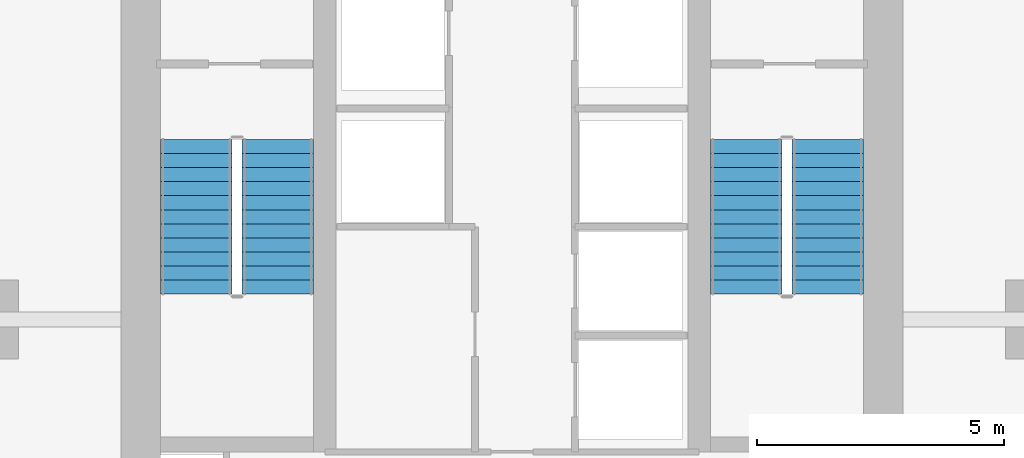
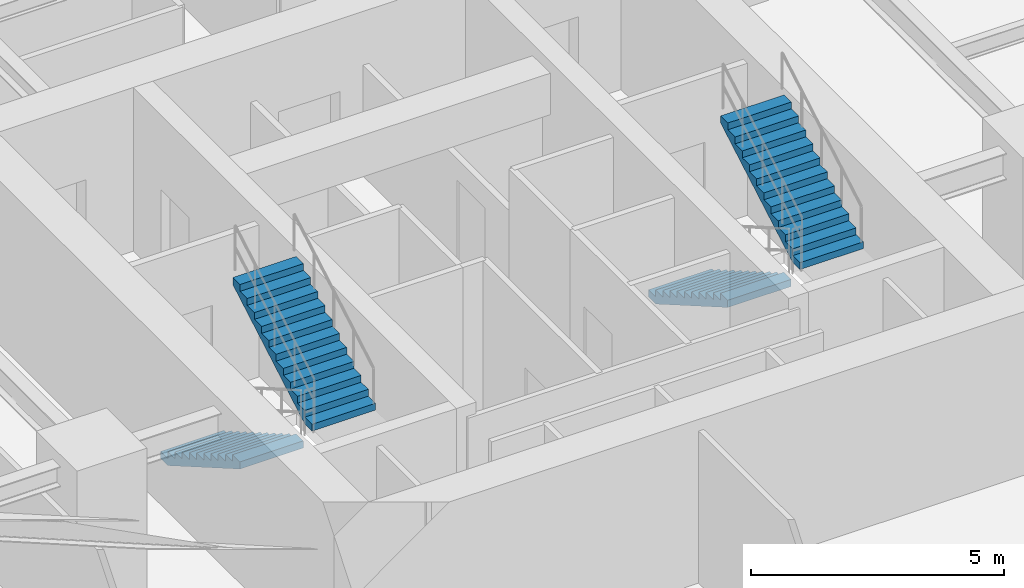
# One storey, part 24 of 26: 4 stair flights, 2 elements without a shape of their own.
"""IFC4 building model written with IfcOpenShell, lengths in metres."""

from ifc_helpers import new_model, si_unit, direction, frame, origin, place, context, subcontext, project, spatial, polyline, outline, extrude, material, type_object, element, aggregate, save


model = new_model("IFC4")

# Units and contexts
model_context = context("Model", 3, precision=1e-05, world=origin(), true_north=direction((0.0, 1.0)))
body_context = subcontext(model_context, "Body", "Model", "MODEL_VIEW")
ifc_project = project(units=[si_unit("LENGTHUNIT", "METRE"), si_unit("AREAUNIT", "SQUARE_METRE"), si_unit("VOLUMEUNIT", "CUBIC_METRE"), si_unit("PLANEANGLEUNIT", "RADIAN"), si_unit("MASSUNIT", "GRAM", prefix="KILO")], contexts=[model_context])

# Site, building, storey
site_placement = place(None, origin())
site = spatial("IfcSite", under=ifc_project, at=site_placement, CompositionType="ELEMENT")
building_placement = place(site_placement, origin())
building = spatial("IfcBuilding", under=site, at=building_placement, Name="Krantzveldt Concourse Tower", CompositionType="ELEMENT")
storey_placement = place(building_placement, frame((0.0, 0.0, 223.10009765625)))
storey = spatial("IfcBuildingStorey", under=building, at=storey_placement, Name="L54", CompositionType="ELEMENT", Elevation=223.10009765625)

# Stair, stair flights
ifc_material = material(Name="Precast concrete C40/50", Category="concrete")
stair_type = type_object("IfcStairType", Name="STR-CORE-DOGLEG", PredefinedType="HALF_TURN_STAIR", material=ifc_material)
stair_1_placement = place(storey_placement, origin())
stair_1 = element("IfcStair", 1, at=stair_1_placement, inside=storey, type_object=stair_type, Name="L54 Protected Escape Stair ST-1", PredefinedType="HALF_TURN_STAIR")
stair_flight_type = type_object("IfcStairFlightType", Name="STF-CORE-1450", PredefinedType="STRAIGHT", material=ifc_material)
stair_flight_1_placement = place(storey_placement, frame((29.60498046875, 19.550048828125, 0.0), z_axis=(0.0, 0.0, 1.0), x_axis=(0.0, -1.0, 0.0)))
stair_flight_1 = element("IfcStairFlight", 2, at=stair_flight_1_placement, type_object=stair_flight_type, Name="ST-1 flight 1", NumberOfRisers=12, NumberOfTreads=11, PredefinedType="STRAIGHT", RiserHeight=0.164583333, TreadLength=0.285, context=body_context, shape_type="SweptSolid", body=[
    extrude(outline(polyline([(0.0, 0.0), (0.0, 0.16455078125), (0.284912109375, 0.16455078125), (0.284912109375, 0.3291015625), (0.570068359375, 0.3291015625), (0.570068359375, 0.49365234375), (0.85498046875, 0.49365234375), (0.85498046875, 0.658447265625), (1.139892578125, 0.658447265625), (1.139892578125, 0.822998046875), (1.425048828125, 0.822998046875), (1.425048828125, 0.987548828125), (1.7099609375, 0.987548828125), (1.7099609375, 1.152099609375), (1.9951171875, 1.152099609375), (1.9951171875, 1.316650390625), (2.280029296875, 1.316650390625), (2.280029296875, 1.481201171875), (2.56494140625, 1.481201171875), (2.56494140625, 1.645751953125), (2.85009765625, 1.645751953125), (2.85009765625, 1.810302734375), (3.135009765625, 1.810302734375), (3.135009765625, 1.97509765625), (3.135009765625, 1.63720703125), (0.2998046875, 0.0), (0.0, 0.0)])), frame((0.0, 0.72509765625, 0.0), z_axis=(0.0, -1.0, 0.0), x_axis=(1.0, 0.0, 0.0)), (0.0, 0.0, 1.0), 1.449951171875),
])
stair_flight_2_placement = place(storey_placement, frame((31.2548828125, 16.4150390625, 1.974853515625), z_axis=(0.0, 0.0, 1.0), x_axis=(0.0, 1.0, 0.0)))
stair_flight_2 = element("IfcStairFlight", 3, at=stair_flight_2_placement, type_object=stair_flight_type, Name="ST-1 flight 2", NumberOfRisers=12, NumberOfTreads=11, PredefinedType="STRAIGHT", RiserHeight=0.164583333, TreadLength=0.285, context=body_context, shape_type="SweptSolid", body=[
    extrude(outline(polyline([(0.0, 0.0), (0.0, 0.16455078125), (0.284912109375, 0.16455078125), (0.284912109375, 0.3291015625), (0.570068359375, 0.3291015625), (0.570068359375, 0.49365234375), (0.85498046875, 0.49365234375), (0.85498046875, 0.658447265625), (1.139892578125, 0.658447265625), (1.139892578125, 0.822998046875), (1.425048828125, 0.822998046875), (1.425048828125, 0.987548828125), (1.7099609375, 0.987548828125), (1.7099609375, 1.152099609375), (1.9951171875, 1.152099609375), (1.9951171875, 1.316650390625), (2.280029296875, 1.316650390625), (2.280029296875, 1.481201171875), (2.56494140625, 1.481201171875), (2.56494140625, 1.645751953125), (2.85009765625, 1.645751953125), (2.85009765625, 1.810302734375), (3.135009765625, 1.810302734375), (3.135009765625, 1.97509765625), (3.135009765625, 1.63720703125), (0.2998046875, 0.0), (0.0, 0.0)])), frame((0.0, 0.72509765625, 0.0), z_axis=(0.0, -1.0, 0.0), x_axis=(1.0, 0.0, 0.0)), (0.0, 0.0, 1.0), 1.449951171875),
])
aggregate(stair_1, [stair_flight_1, stair_flight_2])

stair_2_placement = place(storey_placement, origin())
stair_2 = element("IfcStair", 4, at=stair_2_placement, inside=storey, type_object=stair_type, Name="L54 Protected Escape Stair ST-2", PredefinedType="HALF_TURN_STAIR")
stair_flight_3_placement = place(storey_placement, frame((40.7451171875, 19.550048828125, 0.0), z_axis=(0.0, 0.0, 1.0), x_axis=(0.0, -1.0, 0.0)))
stair_flight_3 = element("IfcStairFlight", 5, at=stair_flight_3_placement, type_object=stair_flight_type, Name="ST-2 flight 1", NumberOfRisers=12, NumberOfTreads=11, PredefinedType="STRAIGHT", RiserHeight=0.164583333, TreadLength=0.285, context=body_context, shape_type="SweptSolid", body=[
    extrude(outline(polyline([(0.0, 0.0), (0.0, 0.16455078125), (0.284912109375, 0.16455078125), (0.284912109375, 0.3291015625), (0.570068359375, 0.3291015625), (0.570068359375, 0.49365234375), (0.85498046875, 0.49365234375), (0.85498046875, 0.658447265625), (1.139892578125, 0.658447265625), (1.139892578125, 0.822998046875), (1.425048828125, 0.822998046875), (1.425048828125, 0.987548828125), (1.7099609375, 0.987548828125), (1.7099609375, 1.152099609375), (1.9951171875, 1.152099609375), (1.9951171875, 1.316650390625), (2.280029296875, 1.316650390625), (2.280029296875, 1.481201171875), (2.56494140625, 1.481201171875), (2.56494140625, 1.645751953125), (2.85009765625, 1.645751953125), (2.85009765625, 1.810302734375), (3.135009765625, 1.810302734375), (3.135009765625, 1.97509765625), (3.135009765625, 1.63720703125), (0.2998046875, 0.0), (0.0, 0.0)])), frame((0.0, 0.72509765625, 0.0), z_axis=(0.0, -1.0, 0.0), x_axis=(1.0, 0.0, 0.0)), (0.0, 0.0, 1.0), 1.449951171875),
])
stair_flight_4_placement = place(storey_placement, frame((42.39501953125, 16.4150390625, 1.974853515625), z_axis=(0.0, 0.0, 1.0), x_axis=(0.0, 1.0, 0.0)))
stair_flight_4 = element("IfcStairFlight", 6, at=stair_flight_4_placement, type_object=stair_flight_type, Name="ST-2 flight 2", NumberOfRisers=12, NumberOfTreads=11, PredefinedType="STRAIGHT", RiserHeight=0.164583333, TreadLength=0.285, context=body_context, shape_type="SweptSolid", body=[
    extrude(outline(polyline([(0.0, 0.0), (0.0, 0.16455078125), (0.284912109375, 0.16455078125), (0.284912109375, 0.3291015625), (0.570068359375, 0.3291015625), (0.570068359375, 0.49365234375), (0.85498046875, 0.49365234375), (0.85498046875, 0.658447265625), (1.139892578125, 0.658447265625), (1.139892578125, 0.822998046875), (1.425048828125, 0.822998046875), (1.425048828125, 0.987548828125), (1.7099609375, 0.987548828125), (1.7099609375, 1.152099609375), (1.9951171875, 1.152099609375), (1.9951171875, 1.316650390625), (2.280029296875, 1.316650390625), (2.280029296875, 1.481201171875), (2.56494140625, 1.481201171875), (2.56494140625, 1.645751953125), (2.85009765625, 1.645751953125), (2.85009765625, 1.810302734375), (3.135009765625, 1.810302734375), (3.135009765625, 1.97509765625), (3.135009765625, 1.63720703125), (0.2998046875, 0.0), (0.0, 0.0)])), frame((0.0, 0.72509765625, 0.0), z_axis=(0.0, -1.0, 0.0), x_axis=(1.0, 0.0, 0.0)), (0.0, 0.0, 1.0), 1.449951171875),
])
aggregate(stair_2, [stair_flight_3, stair_flight_4])

save(model, "model.ifc")
